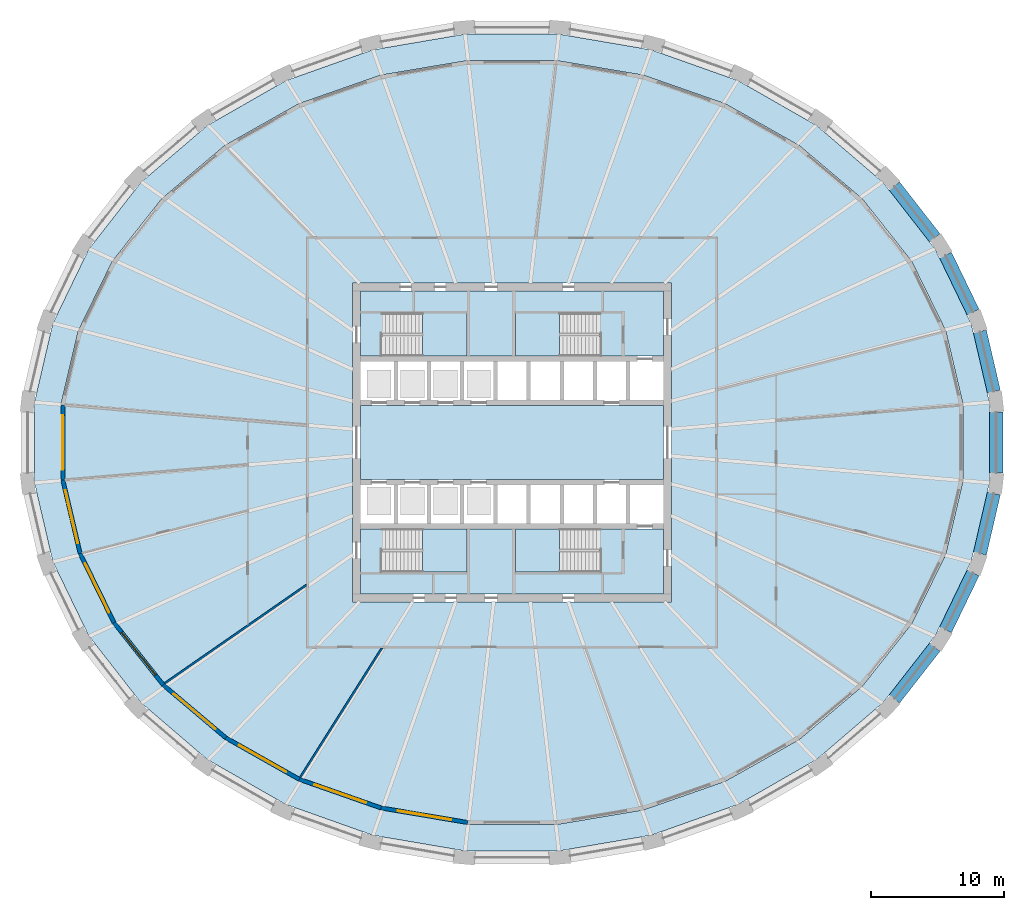
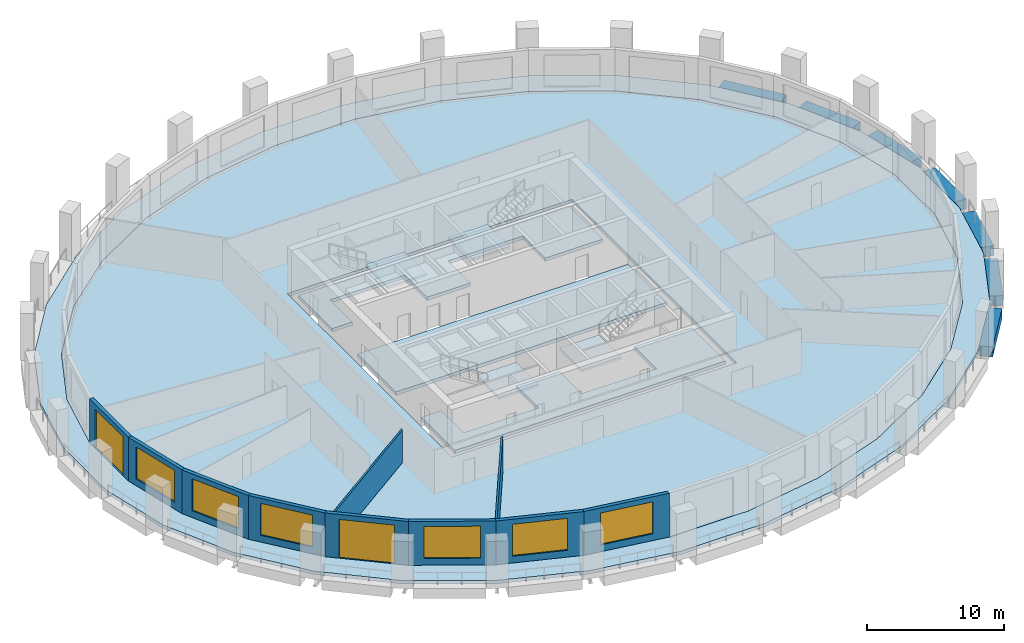
# One storey, part 2 of 11: 10 walls, 9 slabs, 7 beams, 6 windows, 2 doors, 8 openings, 4 elements without a shape of their own.
"""IFC4 building model written with IfcOpenShell, lengths in metres."""

from ifc_helpers import new_model, si_unit, direction, frame, frame_2d, origin, origin_2d, place, context, subcontext, project, spatial, polyline, rectangle, outline, extrude, material, layer, layer_set, material_profile, profile_set, type_object, element, fill, aggregate, save


model = new_model("IFC4")

# Units and contexts
model_context = context("Model", 3, precision=1e-05, world=origin(), true_north=direction((0.0, 1.0)))
body_context = subcontext(model_context, "Body", "Model", "MODEL_VIEW")
ifc_project = project(units=[si_unit("LENGTHUNIT", "METRE"), si_unit("AREAUNIT", "SQUARE_METRE"), si_unit("VOLUMEUNIT", "CUBIC_METRE"), si_unit("PLANEANGLEUNIT", "RADIAN"), si_unit("MASSUNIT", "GRAM", prefix="KILO")], contexts=[model_context])

# Site, building, storey
site_placement = place(None, origin())
site = spatial("IfcSite", under=ifc_project, at=site_placement, CompositionType="ELEMENT")
building_placement = place(site_placement, origin())
building = spatial("IfcBuilding", under=site, at=building_placement, Name="Halqa Exchange Tower", CompositionType="ELEMENT")
storey_placement = place(building_placement, frame((0.0, 0.0, 73.89990234375)))
storey = spatial("IfcBuildingStorey", under=building, at=storey_placement, Name="L16", CompositionType="ELEMENT", Elevation=73.89990234375)

# Beams
ifc_material_1 = material(Name="Concrete C60/75", Category="concrete")
ifc_material_profile = material_profile(ifc_material_1, rectangle(XDim=1.0, YDim=0.89990234375, at=origin_2d()), Name="1000 x 900")
ifc_profile_set = profile_set([ifc_material_profile], Name="Concrete C60/75")
beam_type = type_object("IfcBeamType", Name="RC spandrel beam 1000 x 900 C60/75", PredefinedType="SPANDREL", material=ifc_profile_set)
beam_1_placement = place(storey_placement, frame((36.279541015625, 3.83447265625, -0.449951171875), z_axis=(-0.226061116023, 0.97411312065, 0.0), x_axis=(-0.97411312065, -0.226061116023, 0.0)))
element("IfcBeam", 1, at=beam_1_placement, inside=storey, type_object=beam_type, Name="Spandrel 1", PredefinedType="SPANDREL", context=body_context, shape_type="SweptSolid", body=[
    extrude(rectangle(XDim=1.0, YDim=0.89990234375, at=origin_2d()), origin(), (0.0, 0.0, 1.0), 4.643798828125),
])
beam_2_placement = place(storey_placement, frame((34.716064453125, 9.814697265625, -0.449951171875), z_axis=(-0.435134718336, 0.900365357452, 0.0), x_axis=(-0.900365357452, -0.435134718336, 0.0)))
element("IfcBeam", 2, at=beam_2_placement, inside=storey, type_object=beam_type, Name="Spandrel 2", PredefinedType="SPANDREL", context=body_context, shape_type="SweptSolid", body=[
    extrude(rectangle(XDim=1.0, YDim=0.89990234375, at=origin_2d()), origin(), (0.0, 0.0, 1.0), 4.76171875),
])
for number, where, z_axis, x_axis, name in (
    (3, (31.82958984375, 15.41259765625, -0.449951171875), (-0.614823356822, 0.788664846374, 0.0), (-0.788664846374, -0.614823356822, 0.0), "Spandrel 3"),
    (4, (28.793701171875, -19.306884765625, -0.449951171875), (0.614823356822, 0.788664846374, 0.0), (-0.788664846374, 0.614823356822, 0.0), "Spandrel 29"),
):
    element("IfcBeam", number, at=place(storey_placement, frame(where, z_axis=z_axis, x_axis=x_axis)), inside=storey, type_object=beam_type, Name=name, PredefinedType="SPANDREL", context=body_context, shape_type="SweptSolid", body=[
        extrude(rectangle(XDim=1.0, YDim=0.89990234375, at=origin_2d()), origin(), (0.0, 0.0, 1.0), 4.937744140625),
    ])
beam_3_placement = place(storey_placement, frame((32.64404296875, -14.10205078125, -0.449951171875), z_axis=(0.435134718336, 0.900365357452, 0.0), x_axis=(-0.900365357452, 0.435134718336, 0.0)))
element("IfcBeam", 5, at=beam_3_placement, inside=storey, type_object=beam_type, Name="Spandrel 30", PredefinedType="SPANDREL", context=body_context, shape_type="SweptSolid", body=[
    extrude(rectangle(XDim=1.0, YDim=0.89990234375, at=origin_2d()), origin(), (0.0, 0.0, 1.0), 4.76171875),
])
beam_4_placement = place(storey_placement, frame((35.229736328125, -8.358154296875, -0.449951171875), z_axis=(0.226061116023, 0.97411312065, 0.0), x_axis=(-0.97411312065, 0.226061116023, 0.0)))
element("IfcBeam", 6, at=beam_4_placement, inside=storey, type_object=beam_type, Name="Spandrel 31", PredefinedType="SPANDREL", context=body_context, shape_type="SweptSolid", body=[
    extrude(rectangle(XDim=1.0, YDim=0.89990234375, at=origin_2d()), origin(), (0.0, 0.0, 1.0), 4.643798828125),
])
beam_5_placement = place(storey_placement, frame((36.455078125, -2.30029296875, -0.449951171875), z_axis=(0.0, 1.0, 0.0), x_axis=(-1.0, 0.0, 0.0)))
element("IfcBeam", 7, at=beam_5_placement, inside=storey, type_object=beam_type, Name="Spandrel 32", PredefinedType="SPANDREL", context=body_context, shape_type="SweptSolid", body=[
    extrude(rectangle(XDim=1.0, YDim=0.89990234375, at=origin_2d()), origin(), (0.0, 0.0, 1.0), 4.6005859375),
])

# Slabs
ifc_layer_1 = layer(ifc_material_1, 0.300048828125)
ifc_layer_set_1 = layer_set([ifc_layer_1], Name="Concrete C60/75")
slab_type_1 = type_object("IfcSlabType", Name="Core floor slab 300", PredefinedType="FLOOR", material=ifc_layer_set_1)
slab_1_placement = place(storey_placement, frame((0.0, 0.0, -0.2998046875)))
element("IfcSlab", 8, at=slab_1_placement, inside=storey, type_object=slab_type_1, Name="Core floor slab", PredefinedType="FLOOR", context=body_context, shape_type="SweptSolid", body=[
    extrude(outline(polyline([(-11.39990234375, 2.800048828125), (11.39990234375, 2.800048828125), (11.39990234375, -2.800048828125), (-11.39990234375, -2.800048828125), (-11.39990234375, 2.800048828125)])), origin(), (0.0, 0.0, 1.0), 0.2998046875),
])
slab_2_placement = place(storey_placement, frame((0.0, 0.0, -0.2998046875)))
element("IfcSlab", 9, at=slab_2_placement, inside=storey, type_object=slab_type_1, Name="Core floor slab", PredefinedType="FLOOR", context=body_context, shape_type="SweptSolid", body=[
    extrude(outline(polyline([(-11.39990234375, 11.39990234375), (11.39990234375, 11.39990234375), (11.39990234375, 6.5), (6.550048828125, 6.5), (6.550048828125, 9.75), (0.25, 9.75), (0.25, 6.5), (-3.39990234375, 6.5), (-3.39990234375, 9.75), (-9.699951171875, 9.75), (-9.699951171875, 6.5), (-11.39990234375, 6.5), (-11.39990234375, 11.39990234375)])), origin(), (0.0, 0.0, 1.0), 0.2998046875),
])
slab_3_placement = place(storey_placement, frame((0.0, 0.0, -0.2998046875)))
element("IfcSlab", 10, at=slab_3_placement, inside=storey, type_object=slab_type_1, Name="Core floor slab", PredefinedType="FLOOR", context=body_context, shape_type="SweptSolid", body=[
    extrude(outline(polyline([(-9.699951171875, -9.75), (-3.39990234375, -9.75), (-3.39990234375, -6.5), (0.25, -6.5), (0.25, -9.75), (6.550048828125, -9.75), (6.550048828125, -6.5), (11.39990234375, -6.5), (11.39990234375, -11.39990234375), (-11.39990234375, -11.39990234375), (-11.39990234375, -6.5), (-9.699951171875, -6.5), (-9.699951171875, -9.75)])), origin(), (0.0, 0.0, 1.0), 0.2998046875),
])
ifc_material_2 = material(Name="Concrete C40/50", Category="concrete")
ifc_layer_2 = layer(ifc_material_2, 0.300048828125)
ifc_layer_set_2 = layer_set([ifc_layer_2], Name="Concrete C40/50")
slab_type_2 = type_object("IfcSlabType", Name="RC floor slab 300", PredefinedType="FLOOR", material=ifc_layer_set_2)
slab_4_placement = place(storey_placement, frame((0.0, 0.0, -0.2998046875)))
element("IfcSlab", 11, at=slab_4_placement, inside=storey, type_object=slab_type_2, Name="Floor slab", PredefinedType="FLOOR", context=body_context, shape_type="SweptSolid", body=[
    extrude(outline(polyline([(33.96875, 2.837890625), (32.6591796875, 8.4033203125), (30.092041015625, 13.64208984375), (26.368896484375, 18.352294921875), (21.634521484375, 22.354248046875), (16.072509765625, 25.495849609375), (9.895751953125, 27.65869140625), (3.341064453125, 28.7607421875), (-3.341064453125, 28.7607421875), (-9.895751953125, 27.65869140625), (-16.072509765625, 25.495849609375), (-21.634521484375, 22.354248046875), (-26.368896484375, 18.352294921875), (-30.092041015625, 13.64208984375), (-32.6591796875, 8.4033203125), (-33.96875, 2.837890625), (-33.96875, -2.837890625), (-32.6591796875, -8.4033203125), (-30.092041015625, -13.64208984375), (-26.368896484375, -18.352294921875), (-21.634521484375, -22.354248046875), (-16.072509765625, -25.495849609375), (-9.895751953125, -27.65869140625), (-3.341064453125, -28.7607421875), (3.341064453125, -28.7607421875), (9.895751953125, -27.65869140625), (16.072509765625, -25.495849609375), (21.634521484375, -22.354248046875), (26.368896484375, -18.352294921875), (30.092041015625, -13.64208984375), (32.6591796875, -8.4033203125), (33.96875, -2.837890625), (33.96875, 2.837890625)]), holes=[polyline([(-12.0, -12.0), (12.0, -12.0), (12.0, 12.0), (-12.0, 12.0), (-12.0, -12.0)])]), origin(), (0.0, 0.0, 1.0), 0.2998046875),
])
ifc_layer_3 = layer(ifc_material_2, 0.300048828125)
ifc_layer_set_3 = layer_set([ifc_layer_3], Name="Concrete C40/50")
slab_type_3 = type_object("IfcSlabType", Name="RC loggia slab 300", PredefinedType="FLOOR", material=ifc_layer_set_3)
slab_5_placement = place(storey_placement, frame((0.0, 0.0, -0.2998046875)))
element("IfcSlab", 12, at=slab_5_placement, inside=storey, type_object=slab_type_3, Name="Loggia slab", PredefinedType="FLOOR", context=body_context, shape_type="SweptSolid", body=[
    extrude(outline(polyline([(35.955078125, 3.020263671875), (35.955078125, -3.020263671875), (34.579833984375, -8.947265625), (31.879150390625, -14.53564453125), (27.953125, -19.572021484375), (22.94921875, -23.861083984375), (17.058349609375, -27.23486328125), (10.507080078125, -29.560791015625), (3.548095703125, -30.747314453125), (-3.548095703125, -30.747314453125), (-10.507080078125, -29.560791015625), (-17.058349609375, -27.23486328125), (-22.94921875, -23.861083984375), (-27.953125, -19.572021484375), (-31.879150390625, -14.53564453125), (-34.579833984375, -8.947265625), (-35.955078125, -3.020263671875), (-35.955078125, 3.020263671875), (-34.579833984375, 8.947265625), (-31.879150390625, 14.53564453125), (-27.953125, 19.572021484375), (-22.94921875, 23.861083984375), (-17.058349609375, 27.23486328125), (-10.507080078125, 29.560791015625), (-3.548095703125, 30.747314453125), (3.548095703125, 30.747314453125), (10.507080078125, 29.560791015625), (17.058349609375, 27.23486328125), (22.94921875, 23.861083984375), (27.953125, 19.572021484375), (31.879150390625, 14.53564453125), (34.579833984375, 8.947265625), (35.955078125, 3.020263671875)]), holes=[polyline([(33.96875, 2.837890625), (32.6591796875, 8.4033203125), (30.092041015625, 13.64208984375), (26.368896484375, 18.352294921875), (21.634521484375, 22.354248046875), (16.072509765625, 25.495849609375), (9.895751953125, 27.65869140625), (3.341064453125, 28.7607421875), (-3.341064453125, 28.7607421875), (-9.895751953125, 27.65869140625), (-16.072509765625, 25.495849609375), (-21.634521484375, 22.354248046875), (-26.368896484375, 18.352294921875), (-30.092041015625, 13.64208984375), (-32.6591796875, 8.4033203125), (-33.96875, 2.837890625), (-33.96875, -2.837890625), (-32.6591796875, -8.4033203125), (-30.092041015625, -13.64208984375), (-26.368896484375, -18.352294921875), (-21.634521484375, -22.354248046875), (-16.072509765625, -25.495849609375), (-9.895751953125, -27.65869140625), (-3.341064453125, -28.7607421875), (3.341064453125, -28.7607421875), (9.895751953125, -27.65869140625), (16.072509765625, -25.495849609375), (21.634521484375, -22.354248046875), (26.368896484375, -18.352294921875), (30.092041015625, -13.64208984375), (32.6591796875, -8.4033203125), (33.96875, -2.837890625), (33.96875, 2.837890625)])]), origin(), (0.0, 0.0, 1.0), 0.2998046875),
])

# Stair, slab
ifc_material_3 = material(Name="Concrete C30/37", Category="concrete")
stair_type = type_object("IfcStairType", Name="Exit stair 1500 wide", PredefinedType="HALF_TURN_STAIR", material=ifc_material_3)
stair_1_placement = place(storey_placement, origin())
stair_1 = element("IfcStair", 13, at=stair_1_placement, inside=storey, type_object=stair_type, Name="Exit stair ST1", PredefinedType="HALF_TURN_STAIR")
ifc_layer_4 = layer(ifc_material_3, 0.199951171875)
ifc_layer_set_4 = layer_set([ifc_layer_4], Name="Concrete C30/37")
slab_type_4 = type_object("IfcSlabType", Name="Stair landing 200 slab", PredefinedType="LANDING", material=ifc_layer_set_4)
slab_6_placement = place(storey_placement, frame((0.0, 0.0, 1.900146484375)))
slab_6 = element("IfcSlab", 14, at=slab_6_placement, type_object=slab_type_4, Name="ST1 landing 1", PredefinedType="LANDING", context=body_context, shape_type="SweptSolid", body=[
    extrude(outline(polyline([(-6.719970703125, 6.5), (-3.39990234375, 6.5), (-3.39990234375, 9.75), (-6.719970703125, 9.75), (-6.719970703125, 6.5)])), origin(), (0.0, 0.0, 1.0), 0.199951171875),
])
aggregate(stair_1, [slab_6])

stair_2_placement = place(storey_placement, origin())
stair_2 = element("IfcStair", 15, at=stair_2_placement, inside=storey, type_object=stair_type, Name="Exit stair ST2", PredefinedType="HALF_TURN_STAIR")
slab_7_placement = place(storey_placement, frame((0.0, 0.0, 1.900146484375)))
slab_7 = element("IfcSlab", 16, at=slab_7_placement, type_object=slab_type_4, Name="ST2 landing 1", PredefinedType="LANDING", context=body_context, shape_type="SweptSolid", body=[
    extrude(outline(polyline([(0.25, 6.5), (3.570068359375, 6.5), (3.570068359375, 9.75), (0.25, 9.75), (0.25, 6.5)])), origin(), (0.0, 0.0, 1.0), 0.199951171875),
])
aggregate(stair_2, [slab_7])

stair_3_placement = place(storey_placement, origin())
stair_3 = element("IfcStair", 17, at=stair_3_placement, inside=storey, type_object=stair_type, Name="Exit stair ST3", PredefinedType="HALF_TURN_STAIR")
slab_8_placement = place(storey_placement, frame((0.0, 0.0, 1.900146484375)))
slab_8 = element("IfcSlab", 18, at=slab_8_placement, type_object=slab_type_4, Name="ST3 landing 1", PredefinedType="LANDING", context=body_context, shape_type="SweptSolid", body=[
    extrude(outline(polyline([(-6.719970703125, -9.75), (-3.39990234375, -9.75), (-3.39990234375, -6.5), (-6.719970703125, -6.5), (-6.719970703125, -9.75)])), origin(), (0.0, 0.0, 1.0), 0.199951171875),
])
aggregate(stair_3, [slab_8])

stair_4_placement = place(storey_placement, origin())
stair_4 = element("IfcStair", 19, at=stair_4_placement, inside=storey, type_object=stair_type, Name="Exit stair ST4", PredefinedType="HALF_TURN_STAIR")
slab_9_placement = place(storey_placement, frame((0.0, 0.0, 1.900146484375)))
slab_9 = element("IfcSlab", 20, at=slab_9_placement, type_object=slab_type_4, Name="ST4 landing 1", PredefinedType="LANDING", context=body_context, shape_type="SweptSolid", body=[
    extrude(outline(polyline([(0.25, -9.75), (3.570068359375, -9.75), (3.570068359375, -6.5), (0.25, -6.5), (0.25, -9.75)])), origin(), (0.0, 0.0, 1.0), 0.199951171875),
])
aggregate(stair_4, [slab_9])

# Walls
ifc_material_4 = material(Name="Fire-rated gypsum board")
ifc_layer_5 = layer(ifc_material_4, 0.14990234375)
ifc_layer_set_5 = layer_set([ifc_layer_5], Name="Fire-rated gypsum board")
wall_type_1 = type_object("IfcWallType", Name="Fire partition EI 60 150", PredefinedType="PARTITIONING", material=ifc_layer_set_5)
wall_1_placement = place(storey_placement, frame((-26.158203125, -18.142333984375, 0.0), z_axis=(0.0, 0.0, 1.0), x_axis=(0.821670699987, 0.569962508226, 0.0)))
element("IfcWall", 21, at=wall_1_placement, inside=storey, type_object=wall_type_1, Name="L16-PWL-002", PredefinedType="PARTITIONING", context=body_context, shape_type="SweptSolid", body=[
    extrude(outline(polyline([(0.02392578125, -0.074951171875), (1.870361328125, -0.074951171875), (3.717041015625, -0.074951171875), (5.5634765625, -0.074951171875), (7.41015625, -0.074951171875), (9.256591796875, -0.074951171875), (11.103271484375, -0.074951171875), (12.94970703125, -0.074951171875), (13.0029296875, 0.001708984375), (13.0029296875, 0.001708984375), (13.053466796875, 0.074462890625), (13.053466796875, 0.074951171875), (11.27880859375, 0.074951171875), (9.50390625, 0.074951171875), (7.729248046875, 0.074951171875), (7.72802734375, 0.0732421875), (7.7255859375, 0.074951171875), (5.794189453125, 0.074951171875), (3.86279296875, 0.074951171875), (1.931396484375, 0.074951171875), (0.0, 0.074951171875), (0.0, 0.072509765625), (0.004638671875, -0.003662109375), (0.02392578125, -0.074951171875)])), origin(), (0.0, 0.0, 1.0), 2.91015625),
])
wall_2_placement = place(storey_placement, frame((-9.76220703125, -15.43505859375, 0.0), z_axis=(0.0, 0.0, 1.0), x_axis=(-0.534199196173, -0.845358633249, 0.0)))
element("IfcWall", 22, at=wall_2_placement, inside=storey, type_object=wall_type_1, Name="L16-PWL-010", PredefinedType="PARTITIONING", context=body_context, shape_type="SweptSolid", body=[
    extrude(outline(polyline([(11.580810546875, -0.074951171875), (11.580810546875, -0.065673828125), (11.57763671875, -0.001220703125), (11.56005859375, 0.074951171875), (9.63330078125, 0.074951171875), (7.706787109375, 0.074951171875), (5.780029296875, 0.074951171875), (3.853271484375, 0.074951171875), (1.9267578125, 0.074951171875), (0.0, 0.074951171875), (0.0, 0.07470703125), (0.0947265625, -0.074951171875), (2.009033203125, -0.074951171875), (3.92333984375, -0.074951171875), (5.837646484375, -0.074951171875), (7.752197265625, -0.074951171875), (9.66650390625, -0.074951171875), (11.580810546875, -0.074951171875)])), origin(), (0.0, 0.0, 1.0), 3.147216796875),
])

# Wall, opening, door
ifc_material_5 = material(Name="Limestone cladding", Category="masonry")
ifc_layer_6 = layer(ifc_material_5, 0.0400390625)
ifc_material_6 = material(Name="Ventilated cavity")
ifc_layer_7 = layer(ifc_material_6, 0.030029296875, ventilated=True)
ifc_material_7 = material(Name="Mineral wool insulation")
ifc_layer_8 = layer(ifc_material_7, 0.10009765625)
ifc_layer_9 = layer(ifc_material_3, 0.10009765625)
ifc_material_8 = material(Name="Internal plaster")
ifc_layer_10 = layer(ifc_material_8, 0.030029296875)
ifc_layer_set_6 = layer_set([ifc_layer_6, ifc_layer_7, ifc_layer_8, ifc_layer_9, ifc_layer_10], Name="Stone-faced insulated wall 300")
wall_type_2 = type_object("IfcWallType", Name="Stone-faced insulated wall 300", PredefinedType="STANDARD", material=ifc_layer_set_6)
wall_3_placement = place(storey_placement, frame((-33.818603515625, 2.820556640625, 0.0), z_axis=(0.0, 0.0, 1.0), x_axis=(0.0, -1.0, 0.0)))
wall_3 = element("IfcWall", 23, at=wall_3_placement, inside=storey, type_object=wall_type_2, Name="Glass-line wall 16", PredefinedType="STANDARD", context=body_context, shape_type="SweptSolid", body=[
    extrude(outline(polyline([(-0.017333984375, -0.14990234375), (5.658447265625, -0.14990234375), (5.623779296875, 0.14990234375), (0.017333984375, 0.14990234375), (-0.017333984375, -0.14990234375)])), origin(), (0.0, 0.0, 1.0), 3.900146484375),
])
opening_1_placement = place(wall_3_placement, frame((0.7705078125, 0.0, 0.0)))
opening_1 = element("IfcOpeningElement", 24, at=opening_1_placement, cuts=wall_3, Name="Opening LG-F1-04", PredefinedType="OPENING", context=body_context, shape_type="SweptSolid", body=[
    extrude(rectangle(XDim=4.10009765625, YDim=3.449951171875, at=frame_2d((2.050048828125, 1.72509765625))), frame((0.0, 0.162109375, 0.0), z_axis=(0.0, -1.0, 0.0), x_axis=(1.0, 0.0, 0.0)), (0.0, 0.0, 1.0), 0.323974609375),
])
ifc_material_9 = material(Name="Clear low-emissivity glass in aluminium frame", Category="aluminium")
door_type = type_object("IfcDoorType", Name="Glazed sliding loggia door 4100 x 3450", OperationType="DOUBLE_DOOR_SLIDING", PredefinedType="DOOR", material=ifc_material_9)
door_1_placement = place(opening_1_placement, origin())
door_1 = element("IfcDoor", 25, at=door_1_placement, inside=storey, type_object=door_type, Name="Loggia door 4", OperationType="DOUBLE_DOOR_SLIDING", OverallHeight=3.449951171875, OverallWidth=4.10009765625, PredefinedType="DOOR", context=body_context, shape_type="SweptSolid", body=[
    extrude(rectangle(XDim=4.10009765625, YDim=3.449951171875, at=frame_2d((2.050048828125, 1.72509765625))), frame((0.0, 0.02490234375, 0.0), z_axis=(0.0, -1.0, 0.0), x_axis=(1.0, 0.0, 0.0)), (0.0, 0.0, 1.0), 0.050048828125),
])
fill(opening_1, door_1)

# Wall, opening, window
wall_4_placement = place(storey_placement, frame((-33.818603515625, -2.820556640625, 0.0), z_axis=(0.0, 0.0, 1.0), x_axis=(0.229058489262, -0.97341266095, 0.0)))
wall_4 = element("IfcWall", 26, at=wall_4_placement, inside=storey, type_object=wall_type_2, Name="Glass-line wall 17", PredefinedType="STANDARD", context=body_context, shape_type="SweptSolid", body=[
    extrude(outline(polyline([(-0.017333984375, -0.14990234375), (5.699951171875, -0.14990234375), (5.666259765625, 0.14990234375), (0.017333984375, 0.14990234375), (-0.017333984375, -0.14990234375)])), origin(), (0.0, 0.0, 1.0), 3.900146484375),
])
opening_2_placement = place(wall_4_placement, frame((0.79150390625, 0.0, 0.60009765625)))
opening_2 = element("IfcOpeningElement", 27, at=opening_2_placement, cuts=wall_4, Name="Opening W-F1-17", PredefinedType="OPENING", context=body_context, shape_type="SweptSolid", body=[
    extrude(rectangle(XDim=4.10009765625, YDim=2.85009765625, at=frame_2d((2.050048828125, 1.425048828125))), frame((0.0, 0.162109375, 0.0), z_axis=(0.0, -1.0, 0.0), x_axis=(1.0, 0.0, 0.0)), (0.0, 0.0, 1.0), 0.323974609375),
])
window_type = type_object("IfcWindowType", Name="Fixed clear glazed window 4100 x 2850", PartitioningType="TRIPLE_PANEL_VERTICAL", PredefinedType="WINDOW", material=ifc_material_9)
window_1_placement = place(opening_2_placement, origin())
window_1 = element("IfcWindow", 28, at=window_1_placement, inside=storey, type_object=window_type, Name="Window 1", OverallHeight=2.85009765625, OverallWidth=4.10009765625, PartitioningType="TRIPLE_PANEL_VERTICAL", PredefinedType="WINDOW", context=body_context, shape_type="SweptSolid", body=[
    extrude(rectangle(XDim=4.10009765625, YDim=2.85009765625, at=frame_2d((2.050048828125, 1.425048828125))), frame((0.0, 0.030029296875, 0.0), z_axis=(0.0, -1.0, 0.0), x_axis=(1.0, 0.0, 0.0)), (0.0, 0.0, 1.0), 0.06005859375),
])
fill(opening_2, window_1)

wall_5_placement = place(storey_placement, frame((-32.516845703125, -8.3525390625, 0.0), z_axis=(0.0, 0.0, 1.0), x_axis=(0.440027465772, -0.897984314655, 0.0)))
wall_5 = element("IfcWall", 29, at=wall_5_placement, inside=storey, type_object=wall_type_2, Name="Glass-line wall 18", PredefinedType="STANDARD", context=body_context, shape_type="SweptSolid", body=[
    extrude(outline(polyline([(-0.016845703125, -0.14990234375), (5.81689453125, -0.14990234375), (5.78466796875, 0.14990234375), (0.016845703125, 0.14990234375), (-0.016845703125, -0.14990234375)])), origin(), (0.0, 0.0, 1.0), 3.900146484375),
])
opening_3_placement = place(wall_5_placement, frame((0.850341796875, 0.0, 0.60009765625)))
opening_3 = element("IfcOpeningElement", 30, at=opening_3_placement, cuts=wall_5, Name="Opening W-F1-18", PredefinedType="OPENING", context=body_context, shape_type="SweptSolid", body=[
    extrude(rectangle(XDim=4.10009765625, YDim=2.85009765625, at=frame_2d((2.050048828125, 1.425048828125))), frame((0.0, 0.162109375, 0.0), z_axis=(0.0, -1.0, 0.0), x_axis=(1.0, 0.0, 0.0)), (0.0, 0.0, 1.0), 0.323974609375),
])
window_2_placement = place(opening_3_placement, origin())
window_2 = element("IfcWindow", 31, at=window_2_placement, inside=storey, type_object=window_type, Name="Window 1", OverallHeight=2.85009765625, OverallWidth=4.10009765625, PartitioningType="TRIPLE_PANEL_VERTICAL", PredefinedType="WINDOW", context=body_context, shape_type="SweptSolid", body=[
    extrude(rectangle(XDim=4.10009765625, YDim=2.85009765625, at=frame_2d((2.050048828125, 1.425048828125))), frame((0.0, 0.030029296875, 0.0), z_axis=(0.0, -1.0, 0.0), x_axis=(1.0, 0.0, 0.0)), (0.0, 0.0, 1.0), 0.06005859375),
])
fill(opening_3, window_2)

wall_6_placement = place(storey_placement, frame((-29.96435546875, -13.5615234375, 0.0), z_axis=(0.0, 0.0, 1.0), x_axis=(0.620093447965, -0.784527957303, 0.0)))
wall_6 = element("IfcWall", 32, at=wall_6_placement, inside=storey, type_object=wall_type_2, Name="Glass-line wall 19", PredefinedType="STANDARD", context=body_context, shape_type="SweptSolid", body=[
    extrude(outline(polyline([(-0.01611328125, -0.14990234375), (5.98828125, -0.14990234375), (5.9580078125, 0.14990234375), (0.01611328125, 0.14990234375), (-0.01611328125, -0.14990234375)])), origin(), (0.0, 0.0, 1.0), 3.900146484375),
])
opening_4_placement = place(wall_6_placement, frame((0.9365234375, 0.0, 0.60009765625)))
opening_4 = element("IfcOpeningElement", 33, at=opening_4_placement, cuts=wall_6, Name="Opening W-F1-19", PredefinedType="OPENING", context=body_context, shape_type="SweptSolid", body=[
    extrude(rectangle(XDim=4.10009765625, YDim=2.85009765625, at=frame_2d((2.050048828125, 1.425048828125))), frame((0.0, 0.162109375, 0.0), z_axis=(0.0, -1.0, 0.0), x_axis=(1.0, 0.0, 0.0)), (0.0, 0.0, 1.0), 0.323974609375),
])
window_3_placement = place(opening_4_placement, origin())
window_3 = element("IfcWindow", 34, at=window_3_placement, inside=storey, type_object=window_type, Name="Window 1", OverallHeight=2.85009765625, OverallWidth=4.10009765625, PartitioningType="TRIPLE_PANEL_VERTICAL", PredefinedType="WINDOW", context=body_context, shape_type="SweptSolid", body=[
    extrude(rectangle(XDim=4.10009765625, YDim=2.85009765625, at=frame_2d((2.050048828125, 1.425048828125))), frame((0.0, 0.030029296875, 0.0), z_axis=(0.0, -1.0, 0.0), x_axis=(1.0, 0.0, 0.0)), (0.0, 0.0, 1.0), 0.06005859375),
])
fill(opening_4, window_3)

# Wall, opening, door
wall_7_placement = place(storey_placement, frame((-26.260498046875, -18.24755859375, 0.0), z_axis=(0.0, 0.0, 1.0), x_axis=(0.763693886759, -0.645578536916, 0.0)))
wall_7 = element("IfcWall", 35, at=wall_7_placement, inside=storey, type_object=wall_type_2, Name="Glass-line wall 20", PredefinedType="STANDARD", context=body_context, shape_type="SweptSolid", body=[
    extrude(outline(polyline([(-0.01513671875, -0.14990234375), (6.18408203125, -0.14990234375), (6.15576171875, 0.14990234375), (0.01513671875, 0.14990234375), (-0.01513671875, -0.14990234375)])), origin(), (0.0, 0.0, 1.0), 3.900146484375),
])
opening_5_placement = place(wall_7_placement, frame((1.034912109375, 0.0, 0.0)))
opening_5 = element("IfcOpeningElement", 36, at=opening_5_placement, cuts=wall_7, Name="Opening LG-F1-05", PredefinedType="OPENING", context=body_context, shape_type="SweptSolid", body=[
    extrude(rectangle(XDim=4.10009765625, YDim=3.449951171875, at=frame_2d((2.050048828125, 1.72509765625))), frame((0.0, 0.162109375, 0.0), z_axis=(0.0, -1.0, 0.0), x_axis=(1.0, 0.0, 0.0)), (0.0, 0.0, 1.0), 0.323974609375),
])
door_2_placement = place(opening_5_placement, origin())
door_2 = element("IfcDoor", 37, at=door_2_placement, inside=storey, type_object=door_type, Name="Loggia door 5", OperationType="DOUBLE_DOOR_SLIDING", OverallHeight=3.449951171875, OverallWidth=4.10009765625, PredefinedType="DOOR", context=body_context, shape_type="SweptSolid", body=[
    extrude(rectangle(XDim=4.10009765625, YDim=3.449951171875, at=frame_2d((2.050048828125, 1.72509765625))), frame((0.0, 0.02490234375, 0.0), z_axis=(0.0, -1.0, 0.0), x_axis=(1.0, 0.0, 0.0)), (0.0, 0.0, 1.0), 0.050048828125),
])
fill(opening_5, door_2)

# Wall, opening, window
wall_8_placement = place(storey_placement, frame((-21.548583984375, -22.230712890625, 0.0), z_axis=(0.0, 0.0, 1.0), x_axis=(0.870710061474, -0.491796694629, 0.0)))
wall_8 = element("IfcWall", 38, at=wall_8_placement, inside=storey, type_object=wall_type_2, Name="Glass-line wall 21", PredefinedType="STANDARD", context=body_context, shape_type="SweptSolid", body=[
    extrude(outline(polyline([(-0.01416015625, -0.14990234375), (6.3740234375, -0.14990234375), (6.34716796875, 0.14990234375), (0.01416015625, 0.14990234375), (-0.01416015625, -0.14990234375)])), origin(), (0.0, 0.0, 1.0), 3.900146484375),
])
opening_6_placement = place(wall_8_placement, frame((1.13037109375, 0.0, 0.60009765625)))
opening_6 = element("IfcOpeningElement", 39, at=opening_6_placement, cuts=wall_8, Name="Opening W-F1-21", PredefinedType="OPENING", context=body_context, shape_type="SweptSolid", body=[
    extrude(rectangle(XDim=4.10009765625, YDim=2.85009765625, at=frame_2d((2.050048828125, 1.425048828125))), frame((0.0, 0.162109375, 0.0), z_axis=(0.0, -1.0, 0.0), x_axis=(1.0, 0.0, 0.0)), (0.0, 0.0, 1.0), 0.323974609375),
])
window_4_placement = place(opening_6_placement, origin())
window_4 = element("IfcWindow", 40, at=window_4_placement, inside=storey, type_object=window_type, Name="Window 1", OverallHeight=2.85009765625, OverallWidth=4.10009765625, PartitioningType="TRIPLE_PANEL_VERTICAL", PredefinedType="WINDOW", context=body_context, shape_type="SweptSolid", body=[
    extrude(rectangle(XDim=4.10009765625, YDim=2.85009765625, at=frame_2d((2.050048828125, 1.425048828125))), frame((0.0, 0.030029296875, 0.0), z_axis=(0.0, -1.0, 0.0), x_axis=(1.0, 0.0, 0.0)), (0.0, 0.0, 1.0), 0.06005859375),
])
fill(opening_6, window_4)

wall_9_placement = place(storey_placement, frame((-16.01025390625, -25.35888671875, 0.0), z_axis=(0.0, 0.0, 1.0), x_axis=(0.943815136299, -0.330473884736, 0.0)))
wall_9 = element("IfcWall", 41, at=wall_9_placement, inside=storey, type_object=wall_type_2, Name="Glass-line wall 22", PredefinedType="STANDARD", context=body_context, shape_type="SweptSolid", body=[
    extrude(outline(polyline([(-0.013427734375, -0.14990234375), (6.53076171875, -0.14990234375), (6.50537109375, 0.14990234375), (0.013427734375, 0.14990234375), (-0.013427734375, -0.14990234375)])), origin(), (0.0, 0.0, 1.0), 3.900146484375),
])
opening_7_placement = place(wall_9_placement, frame((1.208984375, 0.0, 0.60009765625)))
opening_7 = element("IfcOpeningElement", 42, at=opening_7_placement, cuts=wall_9, Name="Opening W-F1-22", PredefinedType="OPENING", context=body_context, shape_type="SweptSolid", body=[
    extrude(rectangle(XDim=4.10009765625, YDim=2.85009765625, at=frame_2d((2.050048828125, 1.425048828125))), frame((0.0, 0.162109375, 0.0), z_axis=(0.0, -1.0, 0.0), x_axis=(1.0, 0.0, 0.0)), (0.0, 0.0, 1.0), 0.323974609375),
])
window_5_placement = place(opening_7_placement, origin())
window_5 = element("IfcWindow", 43, at=window_5_placement, inside=storey, type_object=window_type, Name="Window 1", OverallHeight=2.85009765625, OverallWidth=4.10009765625, PartitioningType="TRIPLE_PANEL_VERTICAL", PredefinedType="WINDOW", context=body_context, shape_type="SweptSolid", body=[
    extrude(rectangle(XDim=4.10009765625, YDim=2.85009765625, at=frame_2d((2.050048828125, 1.425048828125))), frame((0.0, 0.030029296875, 0.0), z_axis=(0.0, -1.0, 0.0), x_axis=(1.0, 0.0, 0.0)), (0.0, 0.0, 1.0), 0.06005859375),
])
fill(opening_7, window_5)

wall_10_placement = place(storey_placement, frame((-9.8583984375, -27.512939453125, 0.0), z_axis=(0.0, 0.0, 1.0), x_axis=(0.986157735925, -0.165809890767, 0.0)))
wall_10 = element("IfcWall", 44, at=wall_10_placement, inside=storey, type_object=wall_type_2, Name="Glass-line wall 23", PredefinedType="STANDARD", context=body_context, shape_type="SweptSolid", body=[
    extrude(outline(polyline([(-0.0126953125, -0.14990234375), (6.6337890625, -0.14990234375), (6.60888671875, 0.14990234375), (0.0126953125, 0.14990234375), (-0.0126953125, -0.14990234375)])), origin(), (0.0, 0.0, 1.0), 3.900146484375),
])
opening_8_placement = place(wall_10_placement, frame((1.2607421875, 0.0, 0.60009765625)))
opening_8 = element("IfcOpeningElement", 45, at=opening_8_placement, cuts=wall_10, Name="Opening W-F1-23", PredefinedType="OPENING", context=body_context, shape_type="SweptSolid", body=[
    extrude(rectangle(XDim=4.10009765625, YDim=2.85009765625, at=frame_2d((2.050048828125, 1.425048828125))), frame((0.0, 0.162109375, 0.0), z_axis=(0.0, -1.0, 0.0), x_axis=(1.0, 0.0, 0.0)), (0.0, 0.0, 1.0), 0.323974609375),
])
window_6_placement = place(opening_8_placement, origin())
window_6 = element("IfcWindow", 46, at=window_6_placement, inside=storey, type_object=window_type, Name="Window 1", OverallHeight=2.85009765625, OverallWidth=4.10009765625, PartitioningType="TRIPLE_PANEL_VERTICAL", PredefinedType="WINDOW", context=body_context, shape_type="SweptSolid", body=[
    extrude(rectangle(XDim=4.10009765625, YDim=2.85009765625, at=frame_2d((2.050048828125, 1.425048828125))), frame((0.0, 0.030029296875, 0.0), z_axis=(0.0, -1.0, 0.0), x_axis=(1.0, 0.0, 0.0)), (0.0, 0.0, 1.0), 0.06005859375),
])
fill(opening_8, window_6)

save(model, "model.ifc")
